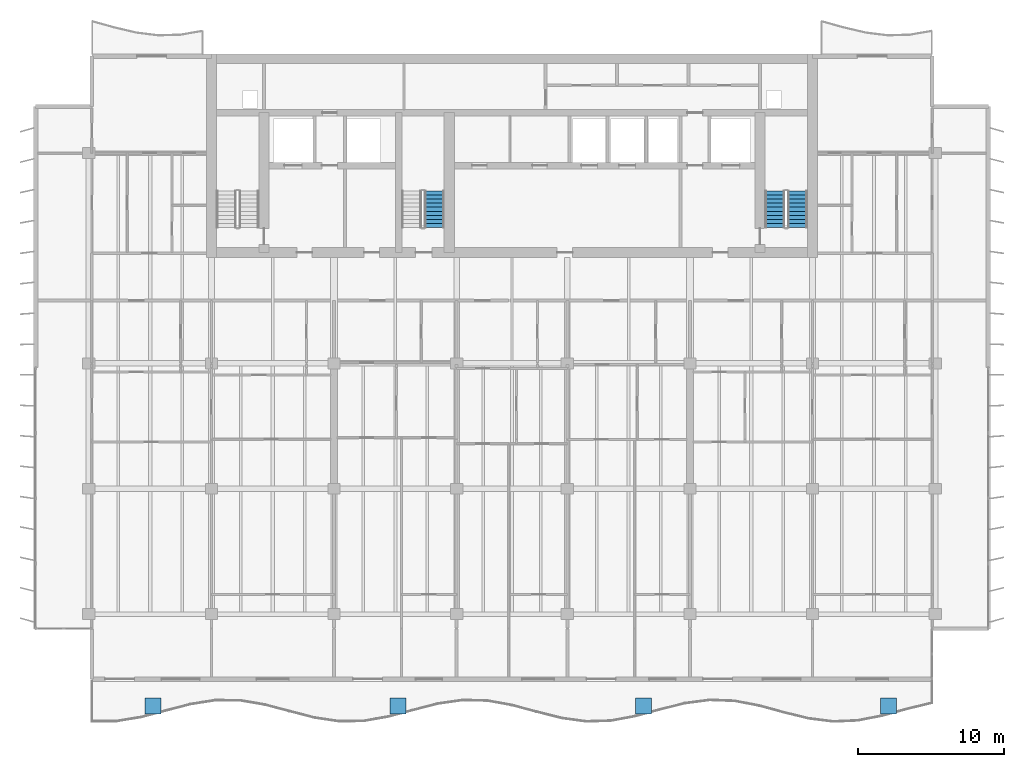
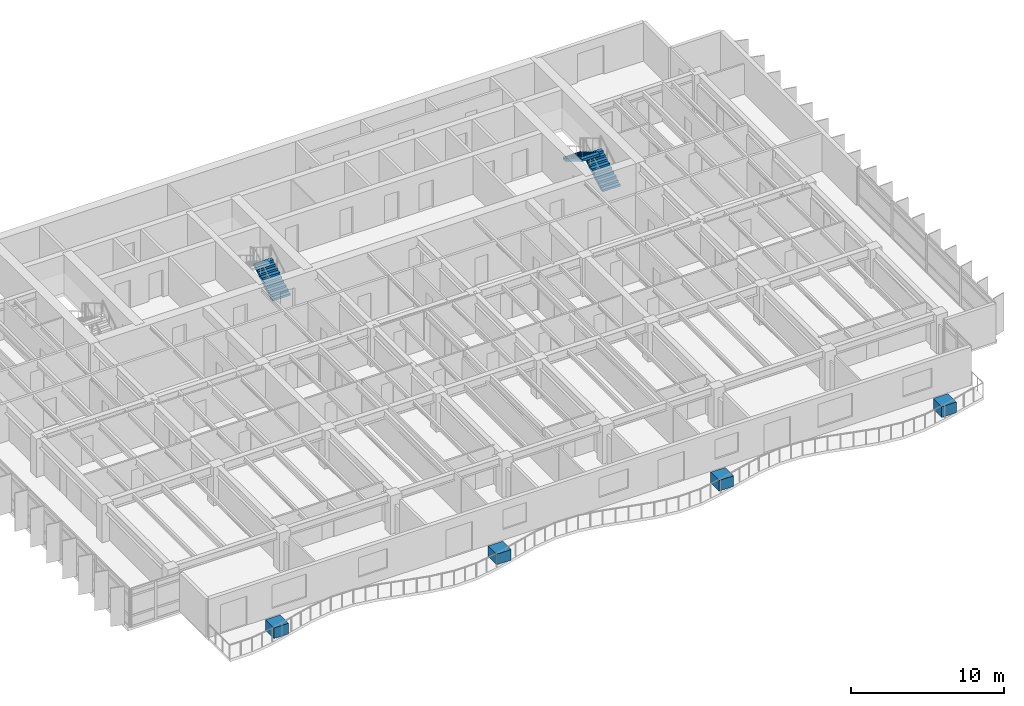
# One storey, part 15 of 19: 4 discrete accessories, 3 stair flights, 2 elements without a shape of their own.
"""IFC4 building model written with IfcOpenShell, lengths in metres."""

from ifc_helpers import new_model, si_unit, direction, frame, origin, origin_2d, place, context, subcontext, project, spatial, polyline, rectangle, outline, extrude, material, type_object, element, aggregate, save


model = new_model("IFC4")

# Units and contexts
model_context = context("Model", 3, precision=1e-05, world=origin(), true_north=direction((0.0, 1.0)))
body_context = subcontext(model_context, "Body", "Model", "MODEL_VIEW")
ifc_project = project(units=[si_unit("LENGTHUNIT", "METRE"), si_unit("AREAUNIT", "SQUARE_METRE"), si_unit("VOLUMEUNIT", "CUBIC_METRE"), si_unit("PLANEANGLEUNIT", "RADIAN"), si_unit("MASSUNIT", "GRAM", prefix="KILO")], contexts=[model_context])

# Site, building, storey
site_placement = place(None, origin())
site = spatial("IfcSite", under=ifc_project, at=site_placement, CompositionType="ELEMENT")
building_placement = place(site_placement, origin())
building = spatial("IfcBuilding", under=site, at=building_placement, Name="Caelmar Bay Residences", CompositionType="ELEMENT")
storey_placement = place(building_placement, frame((0.0, 0.0, 163.800048828125)))
storey = spatial("IfcBuildingStorey", under=building, at=storey_placement, Name="L45", CompositionType="ELEMENT", Elevation=163.800048828125)

# Stair, stair flights
ifc_material_1 = material(Name="Concrete f'c 40 MPa (6,000 psi)", Category="concrete")
stair_type = type_object("IfcStairType", Name="ST-TYP-165", PredefinedType="HALF_TURN_STAIR", material=ifc_material_1)
stair_1_placement = place(storey_placement, origin())
stair_1 = element("IfcStair", 1, at=stair_1_placement, inside=storey, type_object=stair_type, Name="L45 East Smokeproof Exit Stair ST2", PredefinedType="HALF_TURN_STAIR")
stair_flight_type = type_object("IfcStairFlightType", Name="STF-1350", PredefinedType="STRAIGHT", material=ifc_material_1)
stair_flight_1_placement = place(storey_placement, frame((58.47509765625, 38.699951171875, 0.0), z_axis=(0.0, 0.0, 1.0), x_axis=(0.0, 1.0, 0.0)))
stair_flight_1 = element("IfcStairFlight", 2, at=stair_flight_1_placement, type_object=stair_flight_type, Name="ST2 flight 1", NumberOfRisers=10, NumberOfTreads=9, PredefinedType="STRAIGHT", RiserHeight=0.165, TreadLength=0.28, context=body_context, shape_type="SweptSolid", body=[
    extrude(outline(polyline([(0.0, 0.0), (0.0, 0.1650390625), (0.280029296875, 0.1650390625), (0.280029296875, 0.330078125), (0.56005859375, 0.330078125), (0.56005859375, 0.4951171875), (0.840087890625, 0.4951171875), (0.840087890625, 0.659912109375), (1.1201171875, 0.659912109375), (1.1201171875, 0.824951171875), (1.39990234375, 0.824951171875), (1.39990234375, 0.989990234375), (1.679931640625, 0.989990234375), (1.679931640625, 1.155029296875), (1.9599609375, 1.155029296875), (1.9599609375, 1.320068359375), (2.239990234375, 1.320068359375), (2.239990234375, 1.485107421875), (2.52001953125, 1.485107421875), (2.52001953125, 1.64990234375), (2.52001953125, 1.31103515625), (0.295166015625, 0.0), (0.0, 0.0)])), frame((0.0, 0.675048828125, 0.0), z_axis=(0.0, -1.0, 0.0), x_axis=(1.0, 0.0, 0.0)), (0.0, 0.0, 1.0), 1.35009765625),
])
stair_flight_2_placement = place(storey_placement, frame((56.925048828125, 41.219970703125, 1.64990234375), z_axis=(0.0, 0.0, 1.0), x_axis=(0.0, -1.0, 0.0)))
stair_flight_2 = element("IfcStairFlight", 3, at=stair_flight_2_placement, type_object=stair_flight_type, Name="ST2 flight 2", NumberOfRisers=10, NumberOfTreads=9, PredefinedType="STRAIGHT", RiserHeight=0.165, TreadLength=0.28, context=body_context, shape_type="SweptSolid", body=[
    extrude(outline(polyline([(0.0, 0.0), (0.0, 0.1650390625), (0.280029296875, 0.1650390625), (0.280029296875, 0.330078125), (0.56005859375, 0.330078125), (0.56005859375, 0.4951171875), (0.840087890625, 0.4951171875), (0.840087890625, 0.659912109375), (1.1201171875, 0.659912109375), (1.1201171875, 0.824951171875), (1.39990234375, 0.824951171875), (1.39990234375, 0.989990234375), (1.679931640625, 0.989990234375), (1.679931640625, 1.155029296875), (1.9599609375, 1.155029296875), (1.9599609375, 1.320068359375), (2.239990234375, 1.320068359375), (2.239990234375, 1.485107421875), (2.52001953125, 1.485107421875), (2.52001953125, 1.64990234375), (2.52001953125, 1.31103515625), (0.295166015625, 0.0), (0.0, 0.0)])), frame((0.0, 0.675048828125, 0.0), z_axis=(0.0, -1.0, 0.0), x_axis=(1.0, 0.0, 0.0)), (0.0, 0.0, 1.0), 1.35009765625),
])
aggregate(stair_1, [stair_flight_1, stair_flight_2])

# Stair, stair flight
stair_2_placement = place(storey_placement, origin())
stair_2 = element("IfcStair", 4, at=stair_2_placement, inside=storey, type_object=stair_type, Name="L45 Central Smokeproof Exit Stair ST3", PredefinedType="HALF_TURN_STAIR")
stair_flight_3_placement = place(storey_placement, frame((33.574951171875, 38.699951171875, 0.0), z_axis=(0.0, 0.0, 1.0), x_axis=(0.0, 1.0, 0.0)))
stair_flight_3 = element("IfcStairFlight", 5, at=stair_flight_3_placement, type_object=stair_flight_type, Name="ST3 flight 1", NumberOfRisers=10, NumberOfTreads=9, PredefinedType="STRAIGHT", RiserHeight=0.165, TreadLength=0.28, context=body_context, shape_type="SweptSolid", body=[
    extrude(outline(polyline([(0.0, 0.0), (0.0, 0.1650390625), (0.280029296875, 0.1650390625), (0.280029296875, 0.330078125), (0.56005859375, 0.330078125), (0.56005859375, 0.4951171875), (0.840087890625, 0.4951171875), (0.840087890625, 0.659912109375), (1.1201171875, 0.659912109375), (1.1201171875, 0.824951171875), (1.39990234375, 0.824951171875), (1.39990234375, 0.989990234375), (1.679931640625, 0.989990234375), (1.679931640625, 1.155029296875), (1.9599609375, 1.155029296875), (1.9599609375, 1.320068359375), (2.239990234375, 1.320068359375), (2.239990234375, 1.485107421875), (2.52001953125, 1.485107421875), (2.52001953125, 1.64990234375), (2.52001953125, 1.31103515625), (0.295166015625, 0.0), (0.0, 0.0)])), frame((0.0, 0.675048828125, 0.0), z_axis=(0.0, -1.0, 0.0), x_axis=(1.0, 0.0, 0.0)), (0.0, 0.0, 1.0), 1.35009765625),
])
aggregate(stair_2, [stair_flight_3])

# Discrete accessories
ifc_material_2 = material(Name="Architectural bronze GRC planter trough with volcanic-lapilli substrate")
discrete_accessory_type = type_object("IfcDiscreteAccessoryType", Name="ACC-PLANTER-1100", PredefinedType="USERDEFINED", material=ifc_material_2)
for number, where, z_axis, x_axis, name in (
    (6, (14.300048828125, 5.918212890625, 0.0), (0.0, 0.0, 1.0), (1.0, 0.0, 0.0), "L45 Balcony Structural Tree Planter 1"),
    (7, (31.10009765625, 5.918212890625, 0.0), (0.0, 0.0, 1.0), (1.0, 0.0, 0.0), "L45 Balcony Structural Tree Planter 2"),
    (8, (47.89990234375, 5.918212890625, 0.0), (0.0, 0.0, 1.0), (1.0, 0.0, 0.0), "L45 Balcony Structural Tree Planter 3"),
    (9, (64.699951171875, 5.918212890625, 0.0), (0.0, 0.0, 1.0), (1.0, 0.0, 0.0), "L45 Balcony Structural Tree Planter 4"),
):
    element("IfcDiscreteAccessory", number, at=place(storey_placement, frame(where, z_axis=z_axis, x_axis=x_axis)), inside=storey, type_object=discrete_accessory_type, Name=name, ObjectType="PLANTER", PredefinedType="USERDEFINED", context=body_context, shape_type="SweptSolid", body=[
        extrude(rectangle(XDim=1.10009765625, YDim=1.10009765625, at=origin_2d()), origin(), (0.0, 0.0, 1.0), 0.85009765625),
    ])

save(model, "model.ifc")
